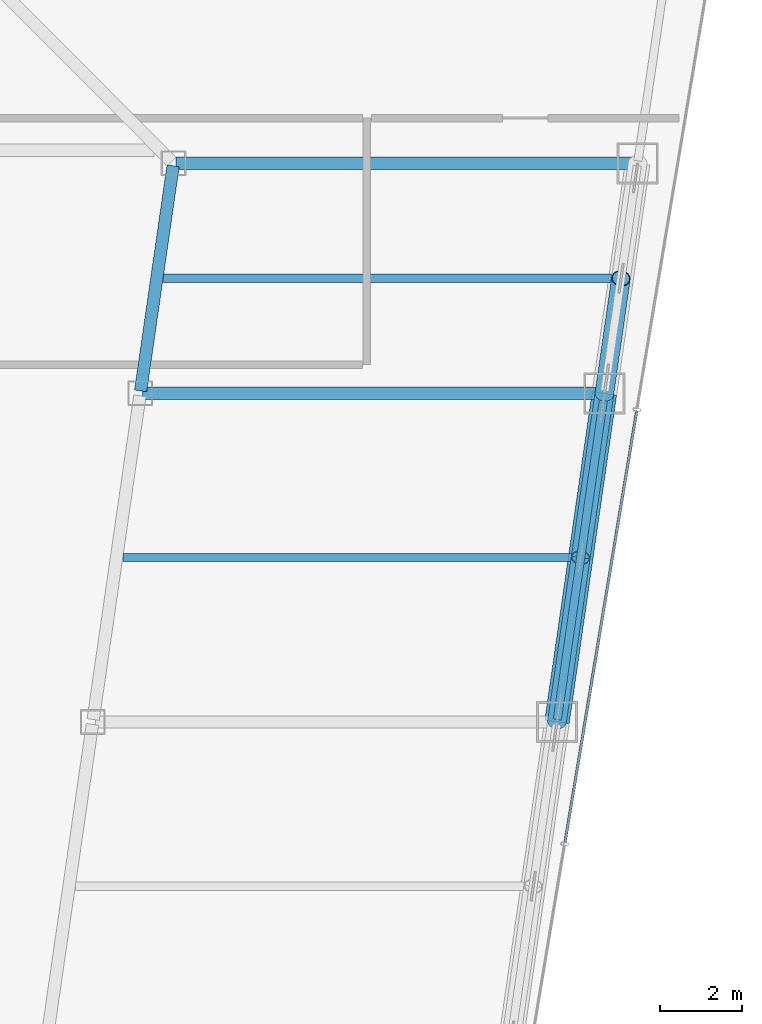
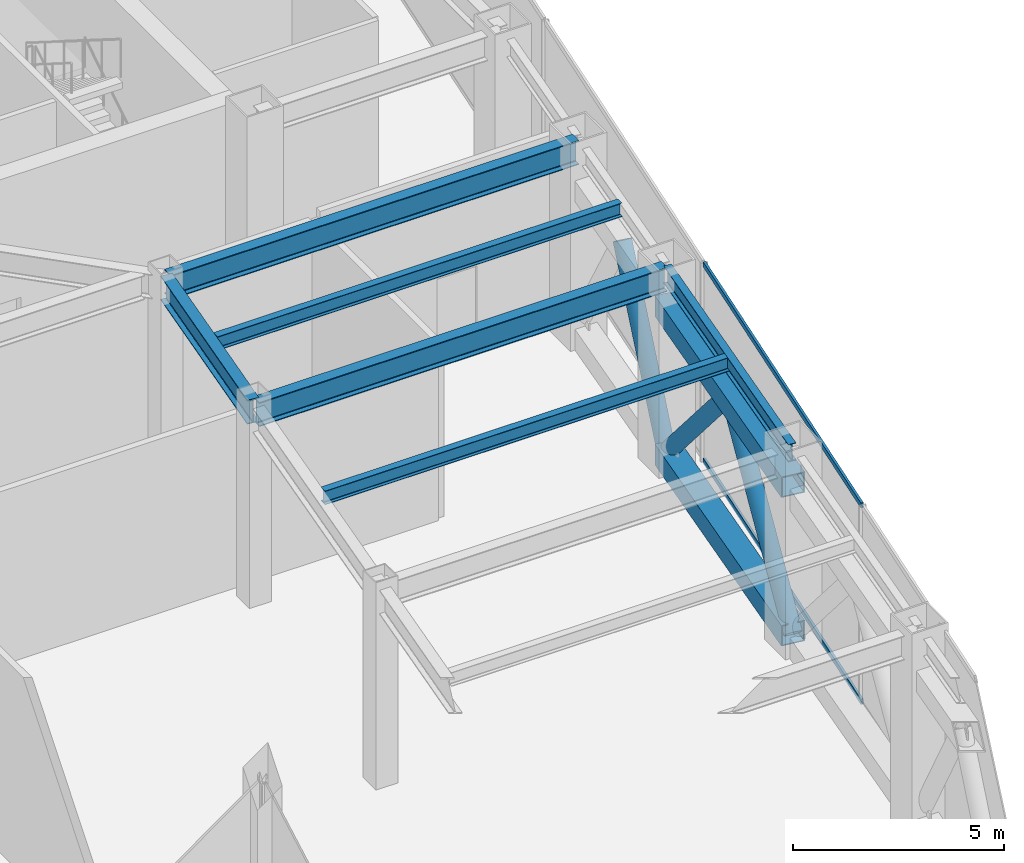
# One storey, part 14 of 30: 7 members, 6 beams, 1 element without a shape of its own.
"""IFC4 building model written with IfcOpenShell, lengths in metres."""

from ifc_helpers import new_model, si_unit, direction, frame, origin, origin_2d, place, context, subcontext, project, spatial, hollow_rectangle, hollow_circle, i_section, extrude, material, material_profile, profile_set, type_object, element, aggregate, save


model = new_model("IFC4")

# Units and contexts
model_context = context("Model", 3, precision=1e-05, world=origin(), true_north=direction((0.0, 1.0)))
body_context = subcontext(model_context, "Body", "Model", "MODEL_VIEW")
ifc_project = project(units=[si_unit("LENGTHUNIT", "METRE"), si_unit("AREAUNIT", "SQUARE_METRE"), si_unit("VOLUMEUNIT", "CUBIC_METRE"), si_unit("PLANEANGLEUNIT", "RADIAN"), si_unit("MASSUNIT", "GRAM", prefix="KILO")], contexts=[model_context])

# Site, building, storey
site_placement = place(None, origin())
site = spatial("IfcSite", under=ifc_project, at=site_placement, CompositionType="ELEMENT")
building_placement = place(site_placement, origin())
building = spatial("IfcBuilding", under=site, at=building_placement, Name="Saevonmaru Cultural Tower", CompositionType="ELEMENT")
storey_placement = place(building_placement, frame((0.0, 0.0, 123.60009765625)))
storey = spatial("IfcBuildingStorey", under=building, at=storey_placement, Name="L26", CompositionType="ELEMENT", Elevation=123.60009765625)

# Beams
ifc_material_1 = material(Name="Steel SM355", Category="steel")
ifc_material_profile_1 = material_profile(ifc_material_1, i_section(OverallWidth=0.300048828125, OverallDepth=0.699951171875, WebThickness=0.012939453125, FlangeThickness=0.02392578125, FilletRadius=0.02587890625, at=origin_2d()), Name="H-700x300x13x24")
ifc_profile_set_1 = profile_set([ifc_material_profile_1], Name="Steel SM355")
beam_type_1 = type_object("IfcBeamType", Name="BM-G-H700", PredefinedType="BEAM", material=ifc_profile_set_1)
beam_1_placement = place(storey_placement, frame((40.3916015625, 32.059326171875, 5.39990234375), z_axis=(0.142964121327, 0.989727871697, 0.0), x_axis=(-0.989727871697, 0.142964121327, 0.0)))
element("IfcBeam", 1, at=beam_1_placement, inside=storey, type_object=beam_type_1, Name="L26 East Atrium Girder 4", PredefinedType="BEAM", context=body_context, shape_type="SweptSolid", body=[
    extrude(i_section(OverallWidth=0.300048828125, OverallDepth=0.699951171875, WebThickness=0.012939453125, FlangeThickness=0.02392578125, FilletRadius=0.02587890625, at=origin_2d()), origin(), (0.0, 0.0, 1.0), 5.5380859375),
])
for number, where, z_axis, x_axis, name in (
    (2, (40.443115234375, 32.0, 5.39990234375), (1.0, 0.0, 0.0), (0.0, 1.0, 0.0), "L26 East Wing Transverse Girder 4"),
    (3, (41.251953125, 37.60009765625, 5.39990234375), (1.0, 0.0, 0.0), (0.0, 1.0, 0.0), "L26 East Wing Transverse Girder 5"),
):
    element("IfcBeam", number, at=place(storey_placement, frame(where, z_axis=z_axis, x_axis=x_axis)), inside=storey, type_object=beam_type_1, Name=name, PredefinedType="BEAM", context=body_context, shape_type="SweptSolid", body=[
        extrude(i_section(OverallWidth=0.300048828125, OverallDepth=0.699951171875, WebThickness=0.012939453125, FlangeThickness=0.02392578125, FilletRadius=0.02587890625, at=origin_2d()), origin(), (0.0, 0.0, 1.0), 11.179931640625),
    ])
ifc_material_profile_2 = material_profile(ifc_material_1, i_section(OverallWidth=0.199951171875, OverallDepth=0.39990234375, WebThickness=0.008056640625, FlangeThickness=0.012939453125, FilletRadius=0.01611328125, at=origin_2d()), Name="H-400x200x8x13")
ifc_profile_set_2 = profile_set([ifc_material_profile_2], Name="Steel SM355")
beam_type_2 = type_object("IfcBeamType", Name="BM-J-H400", PredefinedType="JOIST", material=ifc_profile_set_2)
for number, where, z_axis, x_axis, name in (
    (4, (39.96337890625, 28.0, 5.5498046875), (1.0, 0.0, 0.0), (0.0, 1.0, 0.0), "L26 East Wing Floor Joist 3"),
    (5, (40.945556640625, 34.800048828125, 5.5498046875), (1.0, 0.0, 0.0), (0.0, 1.0, 0.0), "L26 East Wing Floor Joist 4"),
):
    element("IfcBeam", number, at=place(storey_placement, frame(where, z_axis=z_axis, x_axis=x_axis)), inside=storey, type_object=beam_type_2, Name=name, PredefinedType="JOIST", context=body_context, shape_type="SweptSolid", body=[
        extrude(i_section(OverallWidth=0.199951171875, OverallDepth=0.39990234375, WebThickness=0.008056640625, FlangeThickness=0.012939453125, FilletRadius=0.01611328125, at=origin_2d()), origin(), (0.0, 0.0, 1.0), 11.08203125),
    ])
ifc_material_profile_3 = material_profile(ifc_material_1, i_section(OverallWidth=0.199951171875, OverallDepth=0.5, WebThickness=0.010009765625, FlangeThickness=0.01611328125, FilletRadius=0.02001953125, at=origin_2d()), Name="H-500x200x10x16")
ifc_profile_set_3 = profile_set([ifc_material_profile_3], Name="Steel SM355")
beam_type_3 = type_object("IfcBeamType", Name="BM-SP-H500", PredefinedType="SPANDREL", material=ifc_profile_set_3)
beam_2_placement = place(storey_placement, frame((50.53662109375, 24.059326171875, 5.5), z_axis=(0.142871999001, 0.989741174197, 0.0), x_axis=(-0.989741174197, 0.142871999001, 0.0)))
element("IfcBeam", 6, at=beam_2_placement, inside=storey, type_object=beam_type_3, Name="L26 East Splayed Spandrel 3", PredefinedType="SPANDREL", context=body_context, shape_type="SweptSolid", body=[
    extrude(i_section(OverallWidth=0.199951171875, OverallDepth=0.5, WebThickness=0.010009765625, FlangeThickness=0.01611328125, FilletRadius=0.02001953125, at=origin_2d()), origin(), (0.0, 0.0, 1.0), 7.963134765625),
])

# Members
ifc_material_2 = material(Name="Steel SM420", Category="steel")
ifc_material_profile_4 = material_profile(ifc_material_2, hollow_circle(Radius=0.228515625, WallThickness=0.02001953125, at=origin_2d()), Name="CHS-457.2x20")
ifc_profile_set_4 = profile_set([ifc_material_profile_4], Name="Steel SM420")
member_type_1 = type_object("IfcMemberType", Name="MB-BBR-CHS457", PredefinedType="BRACE", material=ifc_profile_set_4)
for number, where, z_axis, x_axis, name in (
    (7, (50.528076171875, 24.0, 0.2998046875), (0.097761801312, 0.677837220775, 0.728683286714), (-0.989758915483, 0.142749042803, 0.0), "L26 Belt Truss Diagonal BE3-1"),
    (8, (51.68310546875, 32.0, 0.2998046875), (-0.097966677563, -0.677823498816, 0.72866853544), (0.989716197255, -0.143044919135, 0.0), "L26 Belt Truss Diagonal BE3-2"),
):
    element("IfcMember", number, at=place(storey_placement, frame(where, z_axis=z_axis, x_axis=x_axis)), inside=storey, type_object=member_type_1, Name=name, PredefinedType="BRACE", context=body_context, shape_type="SweptSolid", body=[
        extrude(hollow_circle(Radius=0.228515625, WallThickness=0.02001953125, at=origin_2d()), origin(), (0.0, 0.0, 1.0), 5.901123046875),
    ])
member_1_placement = place(storey_placement, frame((51.68310546875, 32.0, 0.2998046875), z_axis=(0.078451960574, 0.54399367341, 0.835413773631), x_axis=(-0.989760486421, 0.142738150191, 0.0)))
element("IfcMember", 9, at=member_1_placement, inside=storey, type_object=member_type_1, Name="L26 Belt Truss Diagonal BE4-1", PredefinedType="BRACE", context=body_context, shape_type="SweptSolid", body=[
    extrude(hollow_circle(Radius=0.228515625, WallThickness=0.02001953125, at=origin_2d()), origin(), (0.0, 0.0, 1.0), 5.147216796875),
])
ifc_material_profile_5 = material_profile(ifc_material_2, hollow_rectangle(XDim=0.60009765625, YDim=0.60009765625, WallThickness=0.028076171875, at=origin_2d()), Name="BOX-600x600x28")
ifc_profile_set_5 = profile_set([ifc_material_profile_5], Name="Steel SM420")
member_type_2 = type_object("IfcMemberType", Name="MB-BCH-BOX600", PredefinedType="CHORD", material=ifc_profile_set_5)
for number, where, z_axis, x_axis, name in (
    (10, (50.528076171875, 24.0, 0.2998046875), (0.142896985758, 0.989737566965, 0.0), (-0.989737566965, 0.142896985758, 0.0), "L26 Belt Truss Bottom Chord BE3"),
    (11, (50.528076171875, 24.0, 4.599853515625), (0.142896985758, 0.989737566965, 0.0), (-0.989737566965, 0.142896985758, 0.0), "L26 Belt Truss Top Chord BE3"),
):
    element("IfcMember", number, at=place(storey_placement, frame(where, z_axis=z_axis, x_axis=x_axis)), inside=storey, type_object=member_type_2, Name=name, PredefinedType="CHORD", context=body_context, shape_type="SweptSolid", body=[
        extrude(hollow_rectangle(XDim=0.60009765625, YDim=0.60009765625, WallThickness=0.028076171875, at=origin_2d()), origin(), (0.0, 0.0, 1.0), 8.0830078125),
    ])

# Curtain wall, members
ifc_material_3 = material(Name="Satin Bronze Anodised Aluminium", Category="aluminium")
curtain_wall_type = type_object("IfcCurtainWallType", Name="CW-TYP-A", PredefinedType="NOTDEFINED", material=ifc_material_3)
curtain_wall_placement = place(storey_placement, origin())
curtain_wall = element("IfcCurtainWall", 12, at=curtain_wall_placement, inside=storey, type_object=curtain_wall_type, Name="L26 Wind-Floor Acoustic Louvre Screen E8", PredefinedType="NOTDEFINED")
ifc_material_profile_6 = material_profile(ifc_material_3, hollow_rectangle(XDim=0.06494140625, YDim=0.14990234375, WallThickness=0.00390625, at=origin_2d()), Name="ALU-TRAN-150x65x4")
ifc_profile_set_6 = profile_set([ifc_material_profile_6], Name="Satin Bronze Anodised Aluminium")
member_type_3 = type_object("IfcMemberType", Name="TR-CW-150x65", PredefinedType="USERDEFINED", material=ifc_profile_set_6)
member_2_placement = place(storey_placement, frame((50.7236328125, 21.061767578125, 0.032470703125), z_axis=(0.163993787386, 0.98646137162, 0.0), x_axis=(-0.98646137162, 0.163993787386, 0.0)))
member_2 = element("IfcMember", 13, at=member_2_placement, type_object=member_type_3, Name="CW-TW-L26-E8 transom 2.1", ObjectType="TRANSOM", PredefinedType="USERDEFINED", context=body_context, shape_type="SweptSolid", body=[
    extrude(hollow_rectangle(XDim=0.06494140625, YDim=0.14990234375, WallThickness=0.00390625, at=origin_2d()), origin(), (0.0, 0.0, 1.0), 10.650390625),
])
member_3_placement = place(storey_placement, frame((50.7236328125, 21.061767578125, 5.71728515625), z_axis=(0.163993787386, 0.98646137162, 0.0), x_axis=(-0.98646137162, 0.163993787386, 0.0)))
member_3 = element("IfcMember", 14, at=member_3_placement, type_object=member_type_3, Name="CW-TW-L26-E8 transom 2.2", ObjectType="TRANSOM", PredefinedType="USERDEFINED", context=body_context, shape_type="SweptSolid", body=[
    extrude(hollow_rectangle(XDim=0.06494140625, YDim=0.14990234375, WallThickness=0.00390625, at=origin_2d()), origin(), (0.0, 0.0, 1.0), 10.650390625),
])
aggregate(curtain_wall, [member_2, member_3])

save(model, "model.ifc")
